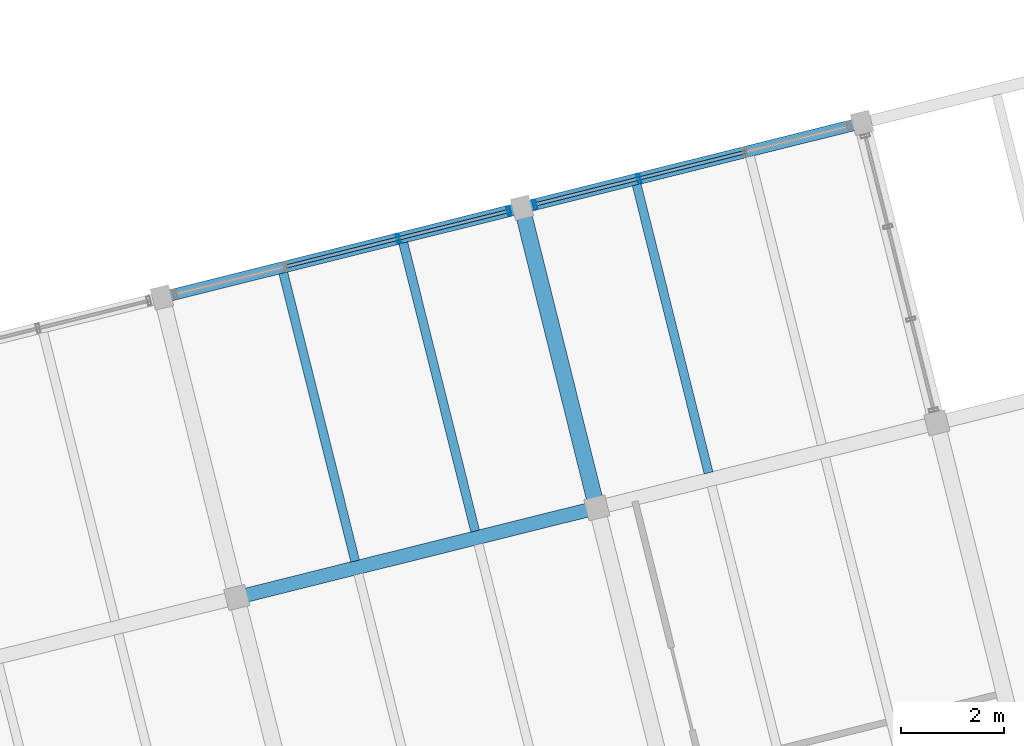
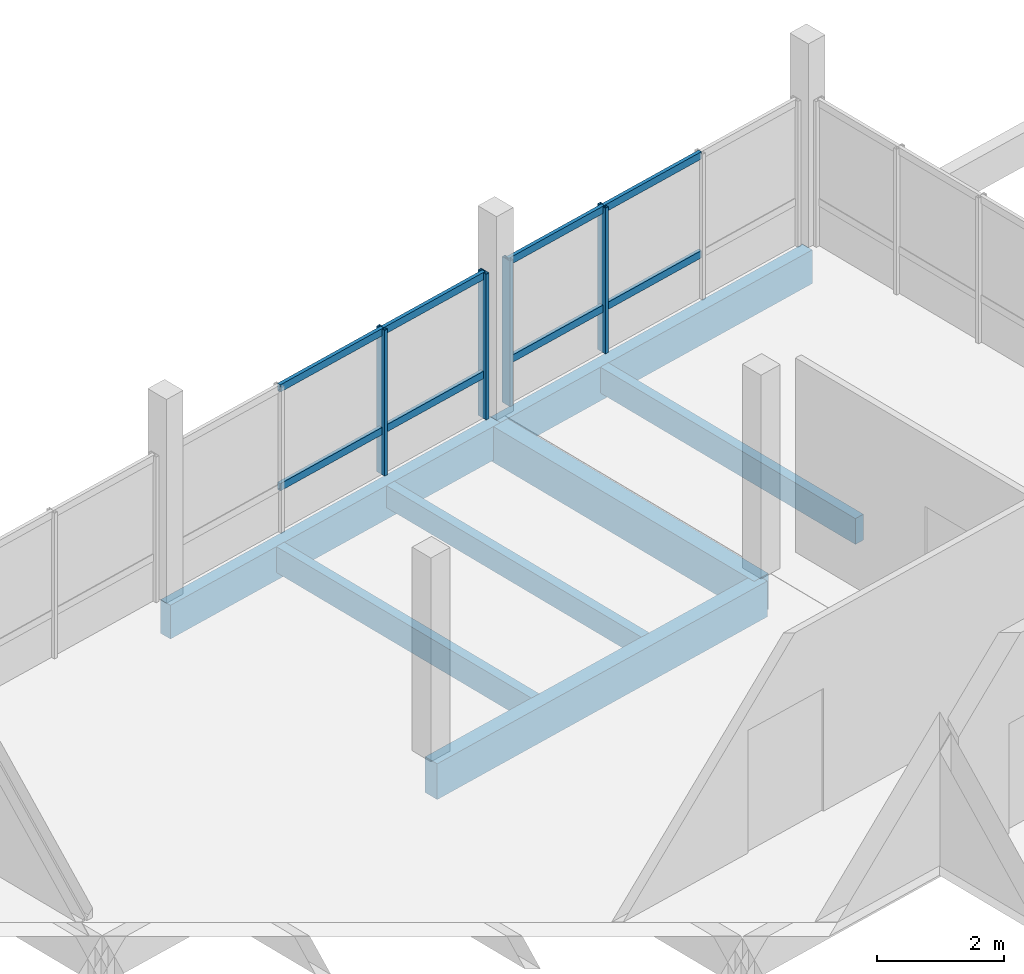
# One storey, part 18 of 27: 12 members, 7 beams, 2 elements without a shape of their own.
"""IFC4 building model written with IfcOpenShell, lengths in metres."""

import ifcopenshell
import ifcopenshell.guid

model = None  # the IFC model being written
_history = None  # IfcOwnerHistory: only IFC2X3 demands one
_inside = {}  # id of a spatial element -> (the spatial element, [elements in it])
_under = {}  # id of a project, library or spatial element -> (it, [spatial elements below it])
_declared = {}  # id of a project -> (the project, [libraries it declares])
_typed = {}  # id of a type object -> (the type object, [elements of that type])
_made_of = {}  # id of a material, layer set ... -> (it, [elements and type objects made of it])


def new_model(schema):
    """Start an empty IFC model of exactly this schema.

    Asked for "IFC4X3", IfcOpenShell would pick the latest addendum, in which some entities
    have other attributes; the version numbers below select the first issue.
    IFC2X3 requires an IfcOwnerHistory on every rooted entity: one is made here for all.
    """
    global model, _history
    if schema == "IFC4X3":
        model = ifcopenshell.file(schema_version=(4, 3, 0, 0))
    else:
        model = ifcopenshell.file(schema=schema)
    _inside.clear()
    _under.clear()
    _declared.clear()
    _typed.clear()
    _made_of.clear()
    _history = None
    if model.schema == "IFC2X3":
        org = make("IfcOrganization", Name="unknown")
        user = make(
            "IfcPersonAndOrganization",
            ThePerson=make("IfcPerson", FamilyName="unknown"),
            TheOrganization=org,
        )
        app = make(
            "IfcApplication",
            ApplicationDeveloper=org,
            Version="unknown",
            ApplicationFullName="unknown",
            ApplicationIdentifier="unknown",
        )
        _history = make(
            "IfcOwnerHistory",
            OwningUser=user,
            OwningApplication=app,
            ChangeAction="ADDED",
            CreationDate=0,
        )
    return model


def make(cls, **values):
    """One entity of the class cls with the attributes given. An attribute that is None is left unset."""
    return model.create_entity(
        cls, **{name: value for name, value in values.items() if value is not None}
    )


def rooted(cls, **values):
    """An entity with a GlobalId (a new one), such as an element, a storey or a relation."""
    return make(cls, GlobalId=ifcopenshell.guid.new(), OwnerHistory=_history, **values)


def si_unit(unit_type, name, prefix=None):
    """IfcSIUnit, for example si_unit("LENGTHUNIT", "METRE", prefix="MILLI")."""
    return make("IfcSIUnit", UnitType=unit_type, Prefix=prefix, Name=name)


def assignment(units):
    """IfcUnitAssignment: the units of a project."""
    return None if units is None else make("IfcUnitAssignment", Units=units)


def point(xyz):
    """IfcCartesianPoint."""
    return None if xyz is None else make("IfcCartesianPoint", Coordinates=xyz)


def direction(xyz):
    """IfcDirection."""
    return None if xyz is None else make("IfcDirection", DirectionRatios=xyz)


def frame(location, z_axis=None, x_axis=None):
    """IfcAxis2Placement3D, a coordinate frame: its origin and axes. An axis left out is left unset."""
    return make(
        "IfcAxis2Placement3D",
        Location=point(location),
        Axis=direction(z_axis),
        RefDirection=direction(x_axis),
    )


def frame_2d(location, x_axis=None):
    """IfcAxis2Placement2D, a coordinate frame in the plane: its origin and x axis."""
    return make(
        "IfcAxis2Placement2D", Location=point(location), RefDirection=direction(x_axis)
    )


def origin():
    """The frame at (0, 0, 0) with its axes left unset."""
    return frame((0.0, 0.0, 0.0))


def origin_2d():
    """The frame at (0, 0) in the plane with its x axis left unset."""
    return frame_2d((0.0, 0.0))


def place(relative_to, where):
    """IfcLocalPlacement: puts the frame where relative to a parent placement (None: the world)."""
    return make(
        "IfcLocalPlacement", PlacementRelTo=relative_to, RelativePlacement=where
    )


def context(
    kind, dimensions, precision=None, world=None, true_north=None, identifier=None
):
    """IfcGeometricRepresentationContext, for example the 3D "Model" context."""
    return make(
        "IfcGeometricRepresentationContext",
        ContextIdentifier=identifier,
        ContextType=kind,
        CoordinateSpaceDimension=dimensions,
        Precision=precision,
        WorldCoordinateSystem=world,
        TrueNorth=true_north,
    )


def subcontext(parent, identifier, kind, view, scale=None):
    """IfcGeometricRepresentationSubContext, for example "Body" below "Model"."""
    return make(
        "IfcGeometricRepresentationSubContext",
        ContextIdentifier=identifier,
        ContextType=kind,
        ParentContext=parent,
        TargetScale=scale,
        TargetView=view,
    )


def project(units=None, contexts=None):
    """IfcProject with its units and contexts."""
    return rooted(
        "IfcProject",
        Name="project",
        RepresentationContexts=contexts,
        UnitsInContext=assignment(units),
    )


def spatial(cls, under=None, at=None, **own):
    """A site, building, storey or space (cls), placed at a placement, below another one or the project."""
    s = rooted(cls, ObjectPlacement=at, **own)
    if under is not None:
        _under.setdefault(under.id(), (under, []))[1].append(s)
    return s


def profile(cls, at=None, kind="AREA", **sizes):
    """A parametric profile (cls). Its sizes go by their IFC names, for example OverallWidth=200.0."""
    return make(cls, ProfileType=kind, Position=at, **sizes)


def rectangle(**sizes):
    """IfcRectangleProfileDef."""
    return profile("IfcRectangleProfileDef", **sizes)


def hollow_rectangle(**sizes):
    """IfcRectangleHollowProfileDef."""
    return profile("IfcRectangleHollowProfileDef", **sizes)


def extrude(swept, where, along, depth):
    """IfcExtrudedAreaSolid: the profile swept, set in the frame where, extruded along a direction by depth."""
    return make(
        "IfcExtrudedAreaSolid",
        SweptArea=swept,
        Position=where,
        ExtrudedDirection=direction(along),
        Depth=depth,
    )


def shape(context_of_items, identifier, shape_type, items):
    """IfcShapeRepresentation: the items that make up one representation, for example the "Body"."""
    return make(
        "IfcShapeRepresentation",
        ContextOfItems=context_of_items,
        RepresentationIdentifier=identifier,
        RepresentationType=shape_type,
        Items=items,
    )


def material(Name=None, Category=None):
    """IfcMaterial."""
    return make("IfcMaterial", Name=Name, Category=Category)


def layer(
    of_material, thickness, ventilated=None, Name=None, Category=None, Priority=None
):
    """IfcMaterialLayer: one layer of a wall or slab, of a material (None: an air gap)."""
    return make(
        "IfcMaterialLayer",
        Material=of_material,
        LayerThickness=thickness,
        IsVentilated=ventilated,
        Name=Name,
        Category=Category,
        Priority=Priority,
    )


def layer_set(layers, Name=None):
    """IfcMaterialLayerSet."""
    return make("IfcMaterialLayerSet", MaterialLayers=layers, LayerSetName=Name)


def material_profile(
    of_material, cross_section, Name=None, Category=None, Priority=None
):
    """IfcMaterialProfile: a cross section and its material."""
    return make(
        "IfcMaterialProfile",
        Name=Name,
        Material=of_material,
        Profile=cross_section,
        Priority=Priority,
        Category=Category,
    )


def profile_set(profiles, Name=None, composite=None):
    """IfcMaterialProfileSet."""
    return make(
        "IfcMaterialProfileSet",
        Name=Name,
        MaterialProfiles=profiles,
        CompositeProfile=composite,
    )


def made_of(thing, what):
    """Note that an element or type object is made of a material, layer set ...; save() writes the relation."""
    if what is not None:
        _made_of.setdefault(what.id(), (what, []))[1].append(thing)
    return thing


def type_object(cls, material=None, **own):
    """A type object (cls), such as IfcWallType, which elements share."""
    return made_of(rooted(cls, **own), material)


def element(
    cls,
    number,
    at=None,
    inside=None,
    cuts=None,
    type_object=None,
    material=None,
    context=None,
    identifier="Body",
    shape_type=None,
    held_by="IfcProductDefinitionShape",
    body=None,
    shapes=None,
    **own,
):
    """One element of the class cls, such as IfcWall. Its Tag is "e" and its number.

    at: its placement. inside: the storey or other place that contains it. cuts: it is an
    opening in that element (IfcRelVoidsElement). A single representation is given by context,
    identifier, shape_type and body (its items); several are given by shapes. held_by: the class
    of the entity that holds the representations. save() writes the other relations.
    """
    e = rooted(cls, Tag="e%d" % number, ObjectPlacement=at, **own)
    if body is not None:
        shapes = [shape(context, identifier, shape_type, body)]
    if shapes is not None:
        e.Representation = make(held_by, Representations=shapes)
    if inside is not None:
        _inside.setdefault(inside.id(), (inside, []))[1].append(e)
    if cuts is not None:
        rooted(
            "IfcRelVoidsElement", RelatingBuildingElement=cuts, RelatedOpeningElement=e
        )
    if type_object is not None:
        _typed.setdefault(type_object.id(), (type_object, []))[1].append(e)
    return made_of(e, material)


def aggregate(whole, parts):
    """IfcRelAggregates: a whole, such as a stair, and the parts it consists of."""
    return rooted("IfcRelAggregates", RelatingObject=whole, RelatedObjects=parts)


def save(model, path):
    """Write the relations noted so far, then the file.

    IfcRelAggregates (storeys below a building ...), IfcRelContainedInSpatialStructure (elements
    in a storey), IfcRelDefinesByType, IfcRelAssociatesMaterial and IfcRelDeclares: one each for
    every whole, place, type object, material and project.
    """
    for whole, parts in _under.values():
        aggregate(whole, parts)
    for where, things in _inside.values():
        rooted(
            "IfcRelContainedInSpatialStructure",
            RelatedElements=things,
            RelatingStructure=where,
        )
    for kind, things in _typed.values():
        rooted("IfcRelDefinesByType", RelatedObjects=things, RelatingType=kind)
    for what, things in _made_of.values():
        rooted("IfcRelAssociatesMaterial", RelatedObjects=things, RelatingMaterial=what)
    for by, libraries in _declared.values():
        rooted("IfcRelDeclares", RelatingContext=by, RelatedDefinitions=libraries)
    model.write(path)


model = new_model("IFC4")

# Units and contexts
model_context = context("Model", 3, precision=1e-05, world=origin(), true_north=direction((0.0, 1.0)))
body_context = subcontext(model_context, "Body", "Model", "MODEL_VIEW")
ifc_project = project(units=[si_unit("LENGTHUNIT", "METRE"), si_unit("AREAUNIT", "SQUARE_METRE"), si_unit("VOLUMEUNIT", "CUBIC_METRE"), si_unit("PLANEANGLEUNIT", "RADIAN"), si_unit("MASSUNIT", "GRAM", prefix="KILO")], contexts=[model_context])

# Site, building, storey
site_placement = place(None, origin())
site = spatial("IfcSite", under=ifc_project, at=site_placement, CompositionType="ELEMENT")
building_placement = place(site_placement, origin())
building = spatial("IfcBuilding", under=site, at=building_placement, Name="Meriwether Solvik Hall", CompositionType="ELEMENT")
storey_placement = place(building_placement, frame((0.0, 0.0, 33.89990234375)))
storey = spatial("IfcBuildingStorey", under=building, at=storey_placement, Name="L08", CompositionType="ELEMENT", Elevation=33.89990234375)

# Beams
ifc_material_1 = material(Name="Glulam Douglas-Fir 24F-V8 GL28h", Category="wood")
ifc_material_profile_1 = material_profile(ifc_material_1, rectangle(XDim=0.221923828125, YDim=0.64501953125, at=origin_2d()), Name="GLB-222X645")
ifc_profile_set_1 = profile_set([ifc_material_profile_1], Name="Glulam Douglas-Fir 24F-V8 GL28h")
beam_type_1 = type_object("IfcBeamType", Name="BM-GL-222X645", PredefinedType="SPANDREL", material=ifc_profile_set_1)
beam_1_placement = place(storey_placement, frame((81.72119140625, 79.512451171875, -0.50244140625), z_axis=(0.970299871507, 0.241905269381, 0.0), x_axis=(-0.241905269381, 0.970299871507, 0.0)))
element("IfcBeam", 1, at=beam_1_placement, inside=storey, type_object=beam_type_1, Name="Tower Girder TF:T4-T5 (L08)", PredefinedType="SPANDREL", context=body_context, shape_type="SweptSolid", body=[
    extrude(rectangle(XDim=0.221923828125, YDim=0.64501953125, at=origin_2d()), origin(), (0.0, 0.0, 1.0), 7.199951171875),
])
beam_2_placement = place(storey_placement, frame((88.707275390625, 81.254150390625, -0.50244140625), z_axis=(0.970298579828, 0.24191045034, 0.0), x_axis=(-0.24191045034, 0.970298579828, 0.0)))
element("IfcBeam", 2, at=beam_2_placement, inside=storey, type_object=beam_type_1, Name="Tower Girder TF:T5-T6 (L08)", PredefinedType="SPANDREL", context=body_context, shape_type="SweptSolid", body=[
    extrude(rectangle(XDim=0.221923828125, YDim=0.64501953125, at=origin_2d()), origin(), (0.0, 0.0, 1.0), 6.800048828125),
])
ifc_material_2 = material(Name="Glulam Douglas-Fir 24F-V8 GL28h", Category="wood")
ifc_material_profile_2 = material_profile(ifc_material_2, rectangle(XDim=0.27294921875, YDim=0.68505859375, at=origin_2d()), Name="GLB-273X685")
ifc_profile_set_2 = profile_set([ifc_material_profile_2], Name="Glulam Douglas-Fir 24F-V8 GL28h")
beam_type_2 = type_object("IfcBeamType", Name="BM-GL-273X685", PredefinedType="BEAM", material=ifc_profile_set_2)
beam_3_placement = place(storey_placement, frame((83.172607421875, 73.690673828125, -0.5224609375), z_axis=(0.970301855688, 0.241897310542, 0.0), x_axis=(-0.241897310542, 0.970301855688, 0.0)))
element("IfcBeam", 3, at=beam_3_placement, inside=storey, type_object=beam_type_2, Name="Tower Girder TE:T4-T5 (L08)", PredefinedType="BEAM", context=body_context, shape_type="SweptSolid", body=[
    extrude(rectangle(XDim=0.27294921875, YDim=0.68505859375, at=origin_2d()), origin(), (0.0, 0.0, 1.0), 7.2001953125),
])
ifc_material_3 = material(Name="Glulam Douglas-Fir 24F-V8 GL28h", Category="wood")
ifc_material_profile_3 = material_profile(ifc_material_3, rectangle(XDim=0.31494140625, YDim=0.68505859375, at=origin_2d()), Name="GLB-315X685")
ifc_profile_set_3 = profile_set([ifc_material_profile_3], Name="Glulam Douglas-Fir 24F-V8 GL28h")
beam_type_3 = type_object("IfcBeamType", Name="BM-GL-315X685", PredefinedType="BEAM", material=ifc_profile_set_3)
beam_4_placement = place(storey_placement, frame((90.158935546875, 75.432373046875, -0.5224609375), z_axis=(-0.241941986192, 0.970290716908, 0.0), x_axis=(-0.970290716908, -0.241941986192, 0.0)))
element("IfcBeam", 4, at=beam_4_placement, inside=storey, type_object=beam_type_3, Name="Tower Girder T5:TE-TF (L08)", PredefinedType="BEAM", context=body_context, shape_type="SweptSolid", body=[
    extrude(rectangle(XDim=0.31494140625, YDim=0.68505859375, at=origin_2d()), origin(), (0.0, 0.0, 1.0), 6.0),
])

# Curtain wall, members
ifc_material_4 = material(Name="Thermally Broken Anodised Aluminium 6063-T6 and Low-E Glass", Category="aluminium")
ifc_layer_1 = layer(ifc_material_4, 0.179931640625)
ifc_layer_set_1 = layer_set([ifc_layer_1], Name="Thermally Broken Anodised Aluminium 6063-T6 and Low-E Glass")
curtain_wall_type_1 = type_object("IfcCurtainWallType", Name="CW-UNIT-A", PredefinedType="USERDEFINED", material=ifc_layer_set_1)
curtain_wall_1_placement = place(storey_placement, origin())
curtain_wall_1 = element("IfcCurtainWall", 5, at=curtain_wall_1_placement, inside=storey, type_object=curtain_wall_type_1, Name="Curtain Wall E6_B3 (L08)", ObjectType="UNITISED CURTAIN WALL", PredefinedType="USERDEFINED")
ifc_material_5 = material(Name="Anodised Aluminium 6063-T6", Category="aluminium")
ifc_material_profile_4 = material_profile(ifc_material_5, hollow_rectangle(XDim=0.06494140625, YDim=0.179931640625, WallThickness=0.00439453125, at=origin_2d()), Name="CWM-65X180")
ifc_profile_set_4 = profile_set([ifc_material_profile_4], Name="Anodised Aluminium 6063-T6")
member_type_1 = type_object("IfcMemberType", Name="CW-MUL-65X180", PredefinedType="MULLION", material=ifc_profile_set_4)
member_1_placement = place(storey_placement, frame((86.306884765625, 80.65576171875, 0.0), z_axis=(0.0, 0.0, 1.0), x_axis=(0.970295738259, 0.241921847539, 0.0)))
member_1 = element("IfcMember", 6, at=member_1_placement, type_object=member_type_1, Name="Curtain Wall Mullion 3", PredefinedType="MULLION", context=body_context, shape_type="SweptSolid", body=[
    extrude(hollow_rectangle(XDim=0.06494140625, YDim=0.179931640625, WallThickness=0.00439453125, at=origin_2d()), origin(), (0.0, 0.0, 1.0), 2.7900390625),
])
member_2_placement = place(storey_placement, frame((88.455078125, 81.191162109375, 0.0), z_axis=(0.0, 0.0, 1.0), x_axis=(0.970295738259, 0.241921847539, 0.0)))
member_2 = element("IfcMember", 7, at=member_2_placement, type_object=member_type_1, Name="Curtain Wall Mullion 4", PredefinedType="MULLION", context=body_context, shape_type="SweptSolid", body=[
    extrude(hollow_rectangle(XDim=0.06494140625, YDim=0.179931640625, WallThickness=0.00439453125, at=origin_2d()), origin(), (0.0, 0.0, 1.0), 2.7900390625),
])

ifc_material_6 = material(Name="Thermally Broken Anodised Aluminium 6063-T6 and Low-E Glass", Category="aluminium")
ifc_layer_2 = layer(ifc_material_6, 0.179931640625)
ifc_layer_set_2 = layer_set([ifc_layer_2], Name="Thermally Broken Anodised Aluminium 6063-T6 and Low-E Glass")
curtain_wall_type_2 = type_object("IfcCurtainWallType", Name="CW-UNIT-B", PredefinedType="USERDEFINED", material=ifc_layer_set_2)
curtain_wall_2_placement = place(storey_placement, origin())
curtain_wall_2 = element("IfcCurtainWall", 8, at=curtain_wall_2_placement, inside=storey, type_object=curtain_wall_type_2, Name="Curtain Wall E6_B4 (L08)", ObjectType="UNITISED CURTAIN WALL", PredefinedType="USERDEFINED")
member_3_placement = place(storey_placement, frame((88.95947265625, 81.317138671875, 0.0), z_axis=(0.0, 0.0, 1.0), x_axis=(0.970295750618, 0.24192179797, 0.0)))
member_3 = element("IfcMember", 9, at=member_3_placement, type_object=member_type_1, Name="Curtain Wall Mullion 1", PredefinedType="MULLION", context=body_context, shape_type="SweptSolid", body=[
    extrude(hollow_rectangle(XDim=0.06494140625, YDim=0.179931640625, WallThickness=0.00439453125, at=origin_2d()), origin(), (0.0, 0.0, 1.0), 2.7900390625),
])
member_4_placement = place(storey_placement, frame((90.978515625, 81.8203125, 0.0), z_axis=(0.0, 0.0, 1.0), x_axis=(0.970295750618, 0.24192179797, 0.0)))
member_4 = element("IfcMember", 10, at=member_4_placement, type_object=member_type_1, Name="Curtain Wall Mullion 2", PredefinedType="MULLION", context=body_context, shape_type="SweptSolid", body=[
    extrude(hollow_rectangle(XDim=0.06494140625, YDim=0.179931640625, WallThickness=0.00439453125, at=origin_2d()), origin(), (0.0, 0.0, 1.0), 2.7900390625),
])

# Member
ifc_material_7 = material(Name="Anodised Aluminium 6063-T6", Category="aluminium")
ifc_material_profile_5 = material_profile(ifc_material_7, hollow_rectangle(XDim=0.06494140625, YDim=0.139892578125, WallThickness=0.00439453125, at=origin_2d()), Name="CWT-65X140")
ifc_profile_set_5 = profile_set([ifc_material_profile_5], Name="Anodised Aluminium 6063-T6")
member_type_2 = type_object("IfcMemberType", Name="CW-TRN-65X140", PredefinedType="USERDEFINED", material=ifc_profile_set_5)
member_5_placement = place(storey_placement, frame((84.12158203125, 80.11083984375, 0.837158203125), z_axis=(0.97028898169, 0.241948945049, 0.0), x_axis=(-0.241948945049, 0.97028898169, 0.0)))
member_5 = element("IfcMember", 11, at=member_5_placement, type_object=member_type_2, Name="Curtain Wall Transom 2-sill", ObjectType="TRANSOM", PredefinedType="USERDEFINED", context=body_context, shape_type="SweptSolid", body=[
    extrude(hollow_rectangle(XDim=0.06494140625, YDim=0.139892578125, WallThickness=0.00439453125, at=origin_2d()), origin(), (0.0, 0.0, 1.0), 2.252197265625),
])

member_6_placement = place(storey_placement, frame((84.12158203125, 80.11083984375, 2.72998046875), z_axis=(0.97028898169, 0.241948945049, 0.0), x_axis=(-0.241948945049, 0.97028898169, 0.0)))
member_6 = element("IfcMember", 12, at=member_6_placement, type_object=member_type_2, Name="Curtain Wall Transom 2-head", ObjectType="TRANSOM", PredefinedType="USERDEFINED", context=body_context, shape_type="SweptSolid", body=[
    extrude(hollow_rectangle(XDim=0.06494140625, YDim=0.139892578125, WallThickness=0.00439453125, at=origin_2d()), origin(), (0.0, 0.0, 1.0), 2.252197265625),
])

member_7_placement = place(storey_placement, frame((86.306884765625, 80.65576171875, 0.837158203125), z_axis=(0.97031739122, 0.241834985674, 0.0), x_axis=(-0.241834985674, 0.97031739122, 0.0)))
member_7 = element("IfcMember", 13, at=member_7_placement, type_object=member_type_2, Name="Curtain Wall Transom 3-sill", ObjectType="TRANSOM", PredefinedType="USERDEFINED", context=body_context, shape_type="SweptSolid", body=[
    extrude(hollow_rectangle(XDim=0.06494140625, YDim=0.139892578125, WallThickness=0.00439453125, at=origin_2d()), origin(), (0.0, 0.0, 1.0), 2.2138671875),
])

member_8_placement = place(storey_placement, frame((86.306884765625, 80.65576171875, 2.72998046875), z_axis=(0.97031739122, 0.241834985674, 0.0), x_axis=(-0.241834985674, 0.97031739122, 0.0)))
member_8 = element("IfcMember", 14, at=member_8_placement, type_object=member_type_2, Name="Curtain Wall Transom 3-head", ObjectType="TRANSOM", PredefinedType="USERDEFINED", context=body_context, shape_type="SweptSolid", body=[
    extrude(hollow_rectangle(XDim=0.06494140625, YDim=0.139892578125, WallThickness=0.00439453125, at=origin_2d()), origin(), (0.0, 0.0, 1.0), 2.2138671875),
])

aggregate(curtain_wall_1, [member_1, member_2, member_5, member_6, member_7, member_8])

member_9_placement = place(storey_placement, frame((88.95947265625, 81.317138671875, 0.837158203125), z_axis=(0.970321680969, 0.241817773214, 0.0), x_axis=(-0.241817773214, 0.970321680969, 0.0)))
member_9 = element("IfcMember", 15, at=member_9_placement, type_object=member_type_2, Name="Curtain Wall Transom 1-sill", ObjectType="TRANSOM", PredefinedType="USERDEFINED", context=body_context, shape_type="SweptSolid", body=[
    extrude(hollow_rectangle(XDim=0.06494140625, YDim=0.139892578125, WallThickness=0.00439453125, at=origin_2d()), origin(), (0.0, 0.0, 1.0), 2.080810546875),
])

member_10_placement = place(storey_placement, frame((88.95947265625, 81.317138671875, 2.72998046875), z_axis=(0.970321680969, 0.241817773214, 0.0), x_axis=(-0.241817773214, 0.970321680969, 0.0)))
member_10 = element("IfcMember", 16, at=member_10_placement, type_object=member_type_2, Name="Curtain Wall Transom 1-head", ObjectType="TRANSOM", PredefinedType="USERDEFINED", context=body_context, shape_type="SweptSolid", body=[
    extrude(hollow_rectangle(XDim=0.06494140625, YDim=0.139892578125, WallThickness=0.00439453125, at=origin_2d()), origin(), (0.0, 0.0, 1.0), 2.080810546875),
])

member_11_placement = place(storey_placement, frame((90.978515625, 81.8203125, 0.837158203125), z_axis=(0.970277919064, 0.24199330523, 0.0), x_axis=(-0.24199330523, 0.970277919064, 0.0)))
member_11 = element("IfcMember", 17, at=member_11_placement, type_object=member_type_2, Name="Curtain Wall Transom 2-sill", ObjectType="TRANSOM", PredefinedType="USERDEFINED", context=body_context, shape_type="SweptSolid", body=[
    extrude(hollow_rectangle(XDim=0.06494140625, YDim=0.139892578125, WallThickness=0.00439453125, at=origin_2d()), origin(), (0.0, 0.0, 1.0), 2.11865234375),
])

member_12_placement = place(storey_placement, frame((90.978515625, 81.8203125, 2.72998046875), z_axis=(0.970277919064, 0.24199330523, 0.0), x_axis=(-0.24199330523, 0.970277919064, 0.0)))
member_12 = element("IfcMember", 18, at=member_12_placement, type_object=member_type_2, Name="Curtain Wall Transom 2-head", ObjectType="TRANSOM", PredefinedType="USERDEFINED", context=body_context, shape_type="SweptSolid", body=[
    extrude(hollow_rectangle(XDim=0.06494140625, YDim=0.139892578125, WallThickness=0.00439453125, at=origin_2d()), origin(), (0.0, 0.0, 1.0), 2.11865234375),
])

aggregate(curtain_wall_2, [member_3, member_4, member_9, member_10, member_11, member_12])

# Beams
ifc_material_8 = material(Name="Glulam Douglas-Fir 24F-V8 GL28h", Category="wood")
ifc_material_profile_6 = material_profile(ifc_material_8, rectangle(XDim=0.175048828125, YDim=0.419921875, at=origin_2d()), Name="GLJ-175X420")
ifc_profile_set_6 = profile_set([ifc_material_profile_6], Name="Glulam Douglas-Fir 24F-V8 GL28h")
beam_type_4 = type_object("IfcBeamType", Name="JST-GL-175X420", PredefinedType="JOIST", material=ifc_profile_set_6)
beam_5_placement = place(storey_placement, frame((87.79833984375, 74.9794921875, -0.389892578125), z_axis=(-0.241917511092, 0.970296819446, 0.0), x_axis=(-0.970296819446, -0.241917511092, 0.0)))
element("IfcBeam", 19, at=beam_5_placement, inside=storey, type_object=beam_type_4, Name="Glulam Floor Joist T4/TE-J2 (L08)", PredefinedType="JOIST", context=body_context, shape_type="SweptSolid", body=[
    extrude(rectangle(XDim=0.175048828125, YDim=0.419921875, at=origin_2d()), origin(), (0.0, 0.0, 1.0), 5.762451171875),
])
ifc_material_9 = material(Name="Glulam Douglas-Fir 24F-V8 GL28h", Category="wood")
ifc_material_profile_7 = material_profile(ifc_material_9, rectangle(XDim=0.175048828125, YDim=0.4951171875, at=origin_2d()), Name="GLJ-175X495")
ifc_profile_set_7 = profile_set([ifc_material_profile_7], Name="Glulam Douglas-Fir 24F-V8 GL28h")
beam_type_5 = type_object("IfcBeamType", Name="JST-GL-175X495", PredefinedType="JOIST", material=ifc_profile_set_7)
for number, where, z_axis, x_axis, name in (
    (20, (85.469482421875, 74.398681640625, -0.427490234375), (-0.241917511092, 0.970296819446, 0.0), (-0.970296819446, -0.241917511092, 0.0), "Glulam Floor Joist T4/TE-J1 (L08)"),
    (21, (92.326416015625, 76.1083984375, -0.427490234375), (-0.241917511092, 0.970296819446, 0.0), (-0.970296819446, -0.241917511092, 0.0), "Glulam Floor Joist T5/TE-J1 (L08)"),
):
    element("IfcBeam", number, at=place(storey_placement, frame(where, z_axis=z_axis, x_axis=x_axis)), inside=storey, type_object=beam_type_5, Name=name, PredefinedType="JOIST", context=body_context, shape_type="SweptSolid", body=[
        extrude(rectangle(XDim=0.175048828125, YDim=0.4951171875, at=origin_2d()), origin(), (0.0, 0.0, 1.0), 5.762451171875),
    ])

save(model, "model.ifc")
